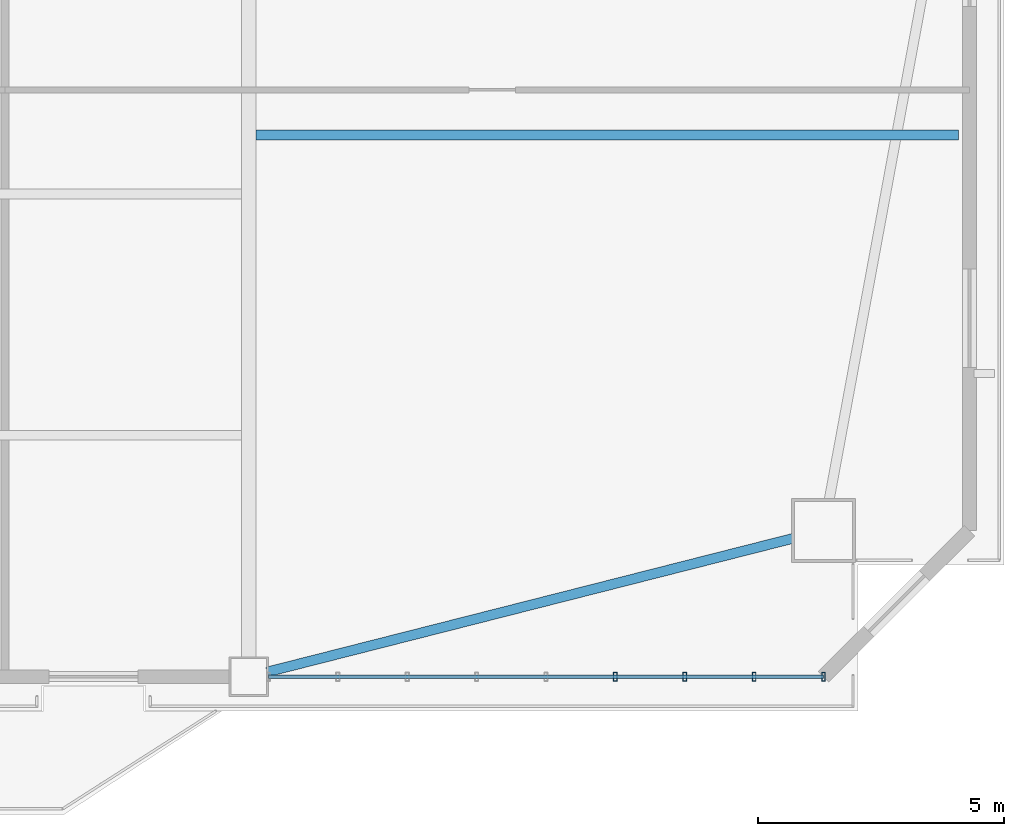
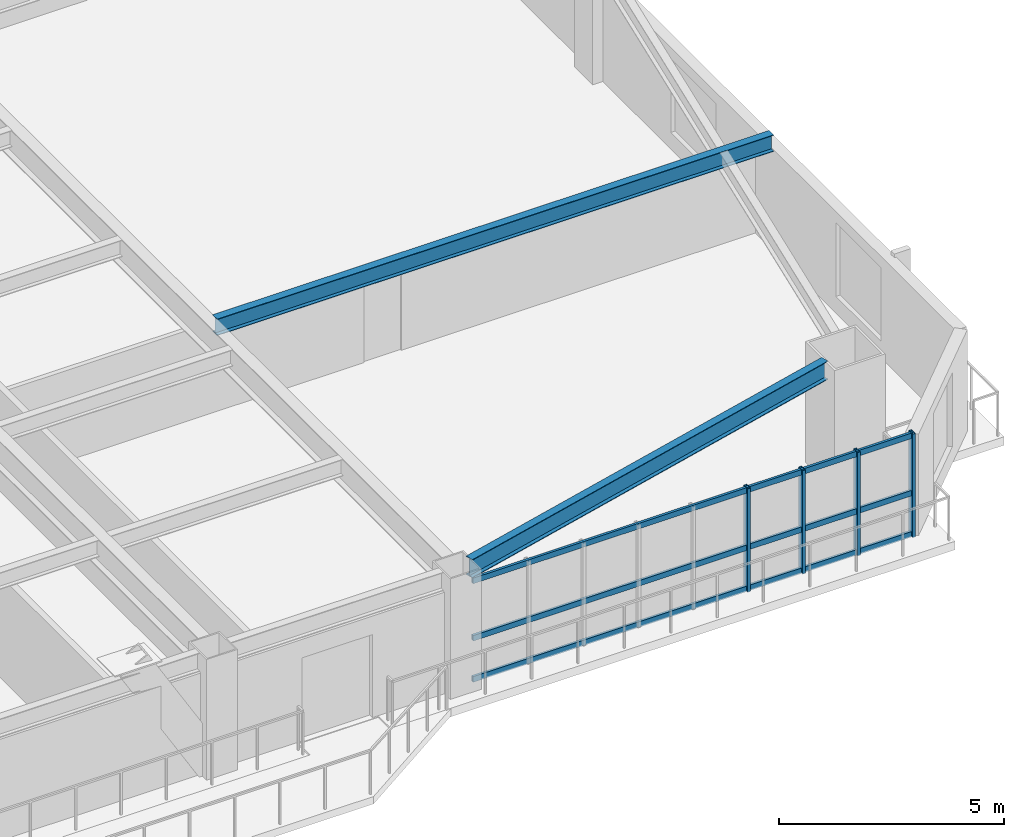
# One storey, part 5 of 17: 7 members, 2 beams, 1 element without a shape of its own.
"""IFC4 building model written with IfcOpenShell, lengths in metres."""

from ifc_helpers import new_model, si_unit, direction, frame, origin, origin_2d, place, context, subcontext, project, spatial, hollow_rectangle, i_section, extrude, source, transform, mapped, material, layer, layer_set, material_profile, profile_set, type_object, element, aggregate, save


model = new_model("IFC4")

# Units and contexts
model_context = context("Model", 3, precision=1e-05, world=origin(), true_north=direction((0.0, 1.0)))
body_context = subcontext(model_context, "Body", "Model", "MODEL_VIEW")
ifc_project = project(units=[si_unit("LENGTHUNIT", "METRE"), si_unit("AREAUNIT", "SQUARE_METRE"), si_unit("VOLUMEUNIT", "CUBIC_METRE"), si_unit("PLANEANGLEUNIT", "RADIAN"), si_unit("MASSUNIT", "GRAM", prefix="KILO")], contexts=[model_context])

# Site, building, storey
site_placement = place(None, origin())
site = spatial("IfcSite", under=ifc_project, at=site_placement, CompositionType="ELEMENT")
building_placement = place(site_placement, origin())
building = spatial("IfcBuilding", under=site, at=building_placement, Name="Giltprow Tower", CompositionType="ELEMENT")
storey_placement = place(building_placement, frame((0.0, 0.0, 137.699951171875)))
storey = spatial("IfcBuildingStorey", under=building, at=storey_placement, Name="L33", CompositionType="ELEMENT", Elevation=137.699951171875)

# Beams
ifc_material_1 = material(Name="Structural steel Q355B", Category="steel")
ifc_material_profile_1 = material_profile(ifc_material_1, i_section(OverallWidth=0.199951171875, OverallDepth=0.449951171875, WebThickness=0.009033203125, FlangeThickness=0.013916015625, at=origin_2d()), Name="HN 450x200x9x14")
ifc_profile_set_1 = profile_set([ifc_material_profile_1], Name="Structural steel Q355B")
beam_type_1 = type_object("IfcBeamType", Name="BM-JOIST-HN450", PredefinedType="JOIST", material=ifc_profile_set_1)
shared_shape_1 = source(origin(), body_context, "Body", "SweptSolid", [
    extrude(i_section(OverallWidth=0.199951171875, OverallDepth=0.449951171875, WebThickness=0.009033203125, FlangeThickness=0.013916015625, at=origin_2d()), origin(), (0.0, 0.0, 1.0), 14.27099609375),
])
beam_1_placement = place(storey_placement, frame((50.695068359375, 19.041015625, 3.045166015625), z_axis=(1.0, 0.0, 0.0), x_axis=(0.0, 1.0, 0.0)))
element("IfcBeam", 1, at=beam_1_placement, inside=storey, type_object=beam_type_1, Name="L33 East Wing Floor Joist 1", PredefinedType="JOIST", context=body_context, shape_type="MappedRepresentation", body=[
    mapped(shared_shape_1, transform((0.0, 0.0, 0.0), x_axis=(1.0, 0.0, 0.0), y_axis=(0.0, 1.0, 0.0), z_axis=(0.0, 0.0, 1.0), scale=1.0)),
])
ifc_material_profile_2 = material_profile(ifc_material_1, i_section(OverallWidth=0.199951171875, OverallDepth=0.5, WebThickness=0.010009765625, FlangeThickness=0.01611328125, at=origin_2d()), Name="HN 500x200x10x16")
ifc_profile_set_2 = profile_set([ifc_material_profile_2], Name="Structural steel Q355B")
beam_type_2 = type_object("IfcBeamType", Name="BM-SPAN-HN500", PredefinedType="SPANDREL", material=ifc_profile_set_2)
shared_shape_2 = source(origin(), body_context, "Body", "SweptSolid", [
    extrude(i_section(OverallWidth=0.199951171875, OverallDepth=0.5, WebThickness=0.010009765625, FlangeThickness=0.01611328125, at=origin_2d()), origin(), (0.0, 0.0, 1.0), 11.022216796875),
])
beam_2_placement = place(storey_placement, frame((50.923095703125, 8.139892578125, 3.02001953125), z_axis=(0.969209040297, 0.246239388006, 0.0), x_axis=(-0.246239388006, 0.969209040297, 0.0)))
element("IfcBeam", 2, at=beam_2_placement, inside=storey, type_object=beam_type_2, Name="L33 Perimeter Spandrel Beam S4-MC_SE", PredefinedType="SPANDREL", context=body_context, shape_type="MappedRepresentation", body=[
    mapped(shared_shape_2, transform((0.0, 0.0, 0.0), x_axis=(1.0, 0.0, 0.0), y_axis=(0.0, 1.0, 0.0), z_axis=(0.0, 0.0, 1.0), scale=1.0)),
])

# Curtain wall, members
ifc_material_2 = material(Name="Anodized bronze", Category="metal")
ifc_layer = layer(ifc_material_2, 0.179931640625, Name="Anodized bronze")
ifc_layer_set = layer_set([ifc_layer], Name="Anodized bronze")
curtain_wall_type = type_object("IfcCurtainWallType", Name="CW-HTL-BRONZE", PredefinedType="NOTDEFINED", material=ifc_layer_set)
curtain_wall_placement = place(storey_placement, origin())
curtain_wall = element("IfcCurtainWall", 3, at=curtain_wall_placement, inside=storey, type_object=curtain_wall_type, Name="L33 South Recessed Curtain Wall 6", PredefinedType="NOTDEFINED")
ifc_material_profile_3 = material_profile(ifc_material_2, hollow_rectangle(XDim=0.074951171875, YDim=0.179931640625, WallThickness=0.008056640625, at=origin_2d()), Name="RHS 180x75x8")
ifc_profile_set_3 = profile_set([ifc_material_profile_3], Name="Anodized bronze")
member_type_1 = type_object("IfcMemberType", Name="CW-MULLION-180x75", PredefinedType="MULLION", material=ifc_profile_set_3)
shared_shape_3 = source(origin(), body_context, "Body", "SweptSolid", [
    extrude(hollow_rectangle(XDim=0.074951171875, YDim=0.179931640625, WallThickness=0.008056640625, at=origin_2d()), origin(), (0.0, 0.0, 1.0), 2.80517578125),
])
member_1_placement = place(storey_placement, frame((57.993896484375, 8.044921875, -0.02001953125), z_axis=(0.0, 0.0, 1.0), x_axis=(1.0, 0.0, 0.0)))
member_1 = element("IfcMember", 4, at=member_1_placement, type_object=member_type_1, Name="L33 South Recessed Curtain Wall 6 Mullion 6", PredefinedType="MULLION", context=body_context, shape_type="MappedRepresentation", body=[
    mapped(shared_shape_3, transform((0.0, 0.0, 0.0), x_axis=(1.0, 0.0, 0.0), y_axis=(0.0, 1.0, 0.0), z_axis=(0.0, 0.0, 1.0), scale=1.0)),
])
member_2_placement = place(storey_placement, frame((59.403076171875, 8.044921875, -0.02001953125), z_axis=(0.0, 0.0, 1.0), x_axis=(1.0, 0.0, 0.0)))
member_2 = element("IfcMember", 5, at=member_2_placement, type_object=member_type_1, Name="L33 South Recessed Curtain Wall 6 Mullion 7", PredefinedType="MULLION", context=body_context, shape_type="MappedRepresentation", body=[
    mapped(shared_shape_3, transform((0.0, 0.0, 0.0), x_axis=(1.0, 0.0, 0.0), y_axis=(0.0, 1.0, 0.0), z_axis=(0.0, 0.0, 1.0), scale=1.0)),
])
member_3_placement = place(storey_placement, frame((60.81201171875, 8.044921875, -0.02001953125), z_axis=(0.0, 0.0, 1.0), x_axis=(1.0, 0.0, 0.0)))
member_3 = element("IfcMember", 6, at=member_3_placement, type_object=member_type_1, Name="L33 South Recessed Curtain Wall 6 Mullion 8", PredefinedType="MULLION", context=body_context, shape_type="MappedRepresentation", body=[
    mapped(shared_shape_3, transform((0.0, 0.0, 0.0), x_axis=(1.0, 0.0, 0.0), y_axis=(0.0, 1.0, 0.0), z_axis=(0.0, 0.0, 1.0), scale=1.0)),
])
member_4_placement = place(storey_placement, frame((62.220947265625, 8.044921875, -0.02001953125), z_axis=(0.0, 0.0, 1.0), x_axis=(1.0, 0.0, 0.0)))
member_4 = element("IfcMember", 7, at=member_4_placement, type_object=member_type_1, Name="L33 South Recessed Curtain Wall 6 Mullion 9", PredefinedType="MULLION", context=body_context, shape_type="MappedRepresentation", body=[
    mapped(shared_shape_3, transform((0.0, 0.0, 0.0), x_axis=(1.0, 0.0, 0.0), y_axis=(0.0, 1.0, 0.0), z_axis=(0.0, 0.0, 1.0), scale=1.0)),
])
ifc_material_profile_4 = material_profile(ifc_material_2, hollow_rectangle(XDim=0.06494140625, YDim=0.14990234375, WallThickness=0.006103515625, at=origin_2d()), Name="RHS 150x65x6")
ifc_profile_set_4 = profile_set([ifc_material_profile_4], Name="Anodized bronze")
member_type_2 = type_object("IfcMemberType", Name="CW-TRANSOM-150x65", PredefinedType="USERDEFINED", material=ifc_profile_set_4)
shared_shape_4 = source(origin(), body_context, "Body", "SweptSolid", [
    extrude(hollow_rectangle(XDim=0.06494140625, YDim=0.14990234375, WallThickness=0.006103515625, at=origin_2d()), origin(), (0.0, 0.0, 1.0), 11.27099609375),
])
member_5_placement = place(storey_placement, frame((50.949951171875, 8.044921875, 0.0400390625), z_axis=(1.0, 0.0, 0.0), x_axis=(0.0, 1.0, 0.0)))
member_5 = element("IfcMember", 8, at=member_5_placement, type_object=member_type_2, Name="L33 South Recessed Curtain Wall 6 Transom 1", ObjectType="TRANSOM", PredefinedType="USERDEFINED", context=body_context, shape_type="MappedRepresentation", body=[
    mapped(shared_shape_4, transform((0.0, 0.0, 0.0), x_axis=(1.0, 0.0, 0.0), y_axis=(0.0, 1.0, 0.0), z_axis=(0.0, 0.0, 1.0), scale=1.0)),
])
member_6_placement = place(storey_placement, frame((50.949951171875, 8.044921875, 1.155029296875), z_axis=(1.0, 0.0, 0.0), x_axis=(0.0, 1.0, 0.0)))
member_6 = element("IfcMember", 9, at=member_6_placement, type_object=member_type_2, Name="L33 South Recessed Curtain Wall 6 Transom 2", ObjectType="TRANSOM", PredefinedType="USERDEFINED", context=body_context, shape_type="MappedRepresentation", body=[
    mapped(shared_shape_4, transform((0.0, 0.0, 0.0), x_axis=(1.0, 0.0, 0.0), y_axis=(0.0, 1.0, 0.0), z_axis=(0.0, 0.0, 1.0), scale=1.0)),
])
member_7_placement = place(storey_placement, frame((50.949951171875, 8.044921875, 2.7099609375), z_axis=(1.0, 0.0, 0.0), x_axis=(0.0, 1.0, 0.0)))
member_7 = element("IfcMember", 10, at=member_7_placement, type_object=member_type_2, Name="L33 South Recessed Curtain Wall 6 Transom 3", ObjectType="TRANSOM", PredefinedType="USERDEFINED", context=body_context, shape_type="MappedRepresentation", body=[
    mapped(shared_shape_4, transform((0.0, 0.0, 0.0), x_axis=(1.0, 0.0, 0.0), y_axis=(0.0, 1.0, 0.0), z_axis=(0.0, 0.0, 1.0), scale=1.0)),
])
aggregate(curtain_wall, [member_1, member_2, member_3, member_4, member_5, member_6, member_7])

save(model, "model.ifc")
